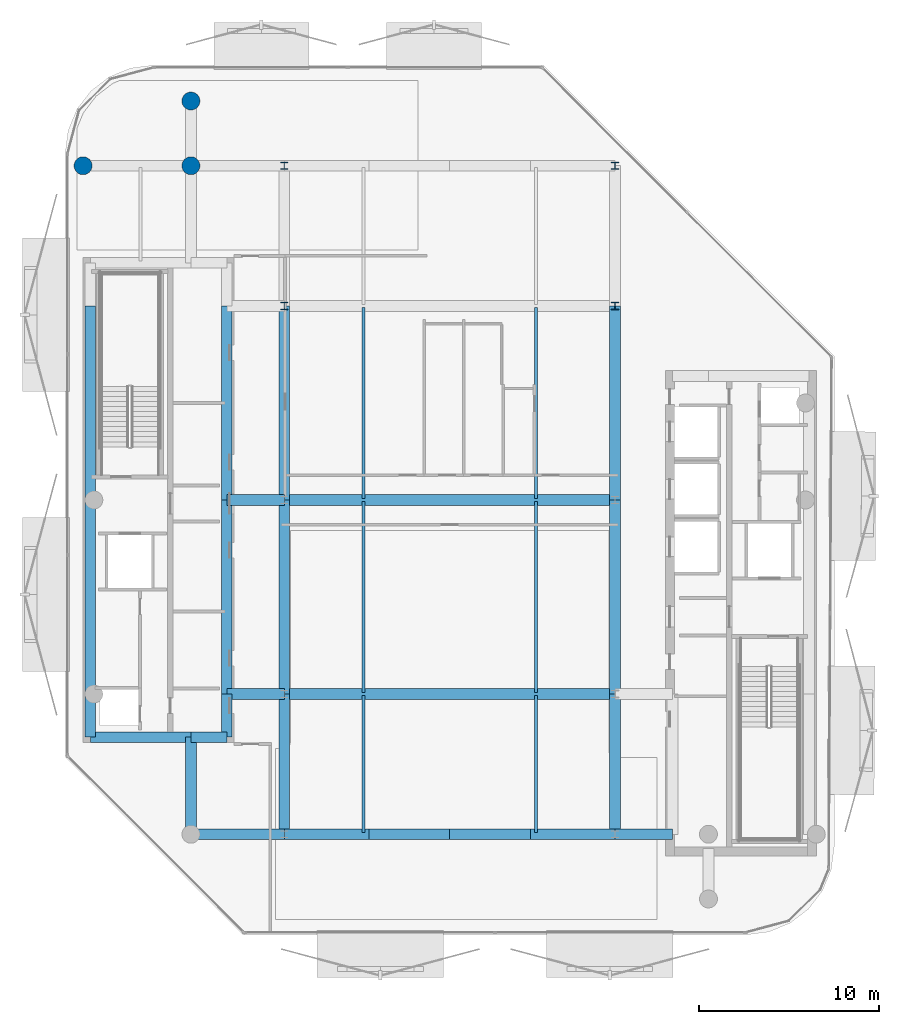
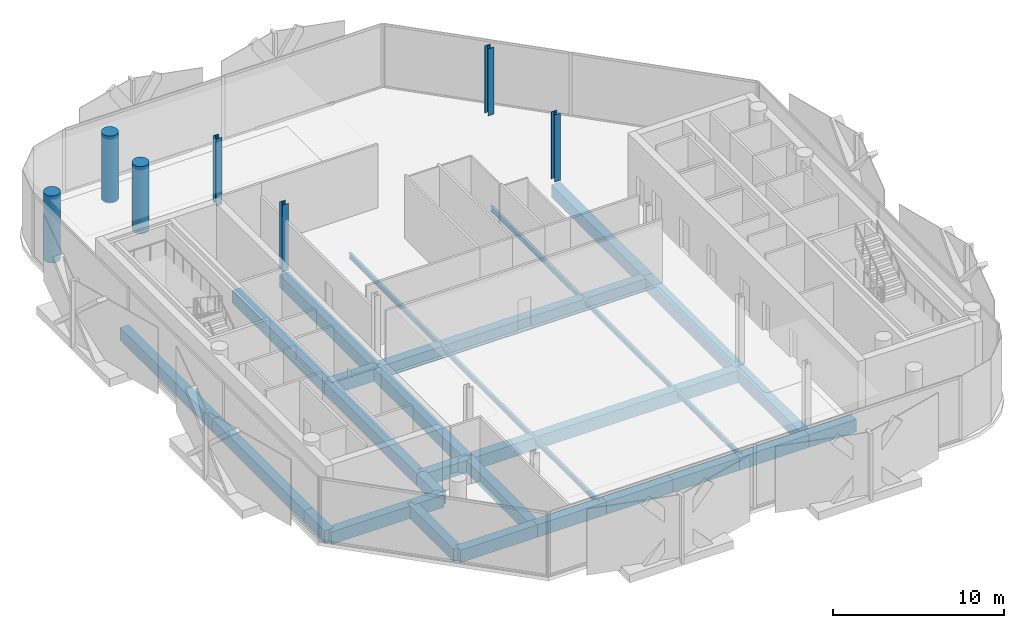
# One storey, part 2 of 15: 31 beams, 7 columns.
"""IFC4 building model written with IfcOpenShell, lengths in metres."""

from ifc_helpers import new_model, si_unit, direction, frame, origin, origin_2d, place, context, subcontext, project, spatial, rectangle, circle, i_section, extrude, material, material_profile, profile_set, type_object, element, save


model = new_model("IFC4")

# Units and contexts
model_context = context("Model", 3, precision=1e-05, world=origin(), true_north=direction((0.0, 1.0)))
body_context = subcontext(model_context, "Body", "Model", "MODEL_VIEW")
ifc_project = project(units=[si_unit("LENGTHUNIT", "METRE"), si_unit("AREAUNIT", "SQUARE_METRE"), si_unit("VOLUMEUNIT", "CUBIC_METRE"), si_unit("PLANEANGLEUNIT", "RADIAN"), si_unit("MASSUNIT", "GRAM", prefix="KILO")], contexts=[model_context])

# Site, building, storey
site_placement = place(None, origin())
site = spatial("IfcSite", under=ifc_project, at=site_placement, CompositionType="ELEMENT")
building_placement = place(site_placement, origin())
building = spatial("IfcBuilding", under=site, at=building_placement, Name="Khairoan Windgate Tower", CompositionType="ELEMENT")
storey_placement = place(building_placement, frame((0.0, 0.0, 315.60009765625)))
storey = spatial("IfcBuildingStorey", under=building, at=storey_placement, Name="L76", CompositionType="ELEMENT", Elevation=315.60009765625)

# Columns
ifc_material_1 = material(Name="Concrete C60/75", Category="concrete")
ifc_material_profile_1 = material_profile(ifc_material_1, circle(Radius=0.5, at=origin_2d()))
ifc_profile_set_1 = profile_set([ifc_material_profile_1], Name="Concrete C60/75")
column_type_1 = type_object("IfcColumnType", Name="Column C-P1 RC-D1000", PredefinedType="COLUMN", material=ifc_profile_set_1)
for number, where, z_axis, x_axis, name in (
    (1, (-20.39990234375, 18.60009765625, 0.0), (0.0, 0.0, 1.0), (1.0, 0.0, 0.0), "Column L76-11"),
    (2, (-14.39990234375, 18.60009765625, 0.0), (0.0, 0.0, 1.0), (1.0, 0.0, 0.0), "Column L76-14"),
    (3, (-14.39990234375, 22.199951171875, 0.0), (0.0, 0.0, 1.0), (1.0, 0.0, 0.0), "Column L76-20"),
):
    element("IfcColumn", number, at=place(storey_placement, frame(where, z_axis=z_axis, x_axis=x_axis)), inside=storey, type_object=column_type_1, Name=name, PredefinedType="COLUMN", context=body_context, shape_type="SweptSolid", body=[
        extrude(circle(Radius=0.5, at=origin_2d()), origin(), (0.0, 0.0, 1.0), 4.7998046875),
    ])
ifc_material_2 = material(Name="Steel S355", Category="steel")
ifc_material_profile_2 = material_profile(ifc_material_2, i_section(OverallWidth=0.39990234375, OverallDepth=0.39990234375, WebThickness=0.012939453125, FlangeThickness=0.02099609375, FilletRadius=0.02197265625, at=origin_2d()))
ifc_profile_set_2 = profile_set([ifc_material_profile_2], Name="Steel S355")
column_type_2 = type_object("IfcColumnType", Name="Steel Column SC4 H400x400x13x21", PredefinedType="COLUMN", material=ifc_profile_set_2)
for number, where, z_axis, x_axis, name in (
    (4, (-9.199951171875, 10.800048828125, 0.0), (0.0, 0.0, 1.0), (1.0, 0.0, 0.0), "Column L76-04"),
    (5, (-9.199951171875, 18.60009765625, 0.0), (0.0, 0.0, 1.0), (1.0, 0.0, 0.0), "Column L76-05"),
    (6, (9.199951171875, 10.800048828125, 0.0), (0.0, 0.0, 1.0), (1.0, 0.0, 0.0), "Column L76-09"),
    (7, (9.199951171875, 18.60009765625, 0.0), (0.0, 0.0, 1.0), (1.0, 0.0, 0.0), "Column L76-10"),
):
    element("IfcColumn", number, at=place(storey_placement, frame(where, z_axis=z_axis, x_axis=x_axis)), inside=storey, type_object=column_type_2, Name=name, PredefinedType="COLUMN", context=body_context, shape_type="SweptSolid", body=[
        extrude(i_section(OverallWidth=0.39990234375, OverallDepth=0.39990234375, WebThickness=0.012939453125, FlangeThickness=0.02099609375, FilletRadius=0.02197265625, at=origin_2d()), origin(), (0.0, 0.0, 1.0), 4.7998046875),
    ])

# Beams
ifc_material_3 = material(Name="Concrete C50/60", Category="concrete")
ifc_material_profile_3 = material_profile(ifc_material_3, rectangle(XDim=0.60009765625, YDim=0.89990234375, at=origin_2d()))
ifc_profile_set_3 = profile_set([ifc_material_profile_3], Name="Concrete C50/60")
beam_type_1 = type_object("IfcBeamType", Name="Beam B-RC1 RC600x900", PredefinedType="BEAM", material=ifc_profile_set_3)
beam_1_placement = place(storey_placement, frame((-14.39990234375, -18.60009765625, -0.710205078125), z_axis=(1.0, 0.0, 0.0), x_axis=(0.0, 1.0, 0.0)))
element("IfcBeam", 8, at=beam_1_placement, inside=storey, type_object=beam_type_1, Name="L76 E-W Primary Girder 01", PredefinedType="BEAM", context=body_context, shape_type="SweptSolid", body=[
    extrude(rectangle(XDim=0.60009765625, YDim=0.89990234375, at=origin_2d()), origin(), (0.0, 0.0, 1.0), 5.199951171875),
])
beam_2_placement = place(storey_placement, frame((-9.199951171875, -18.60009765625, -0.710205078125), z_axis=(1.0, 0.0, 0.0), x_axis=(0.0, 1.0, 0.0)))
element("IfcBeam", 9, at=beam_2_placement, inside=storey, type_object=beam_type_1, Name="L76 E-W Primary Girder 02", PredefinedType="BEAM", context=body_context, shape_type="SweptSolid", body=[
    extrude(rectangle(XDim=0.60009765625, YDim=0.89990234375, at=origin_2d()), origin(), (0.0, 0.0, 1.0), 4.699951171875),
])
for number, where, z_axis, x_axis, name in (
    (10, (-4.5, -18.60009765625, -0.710205078125), (1.0, 0.0, 0.0), (0.0, 1.0, 0.0), "L76 E-W Primary Girder 03"),
    (11, (0.0, -18.60009765625, -0.710205078125), (1.0, 0.0, 0.0), (0.0, 1.0, 0.0), "L76 E-W Primary Girder 04"),
):
    element("IfcBeam", number, at=place(storey_placement, frame(where, z_axis=z_axis, x_axis=x_axis)), inside=storey, type_object=beam_type_1, Name=name, PredefinedType="BEAM", context=body_context, shape_type="SweptSolid", body=[
        extrude(rectangle(XDim=0.60009765625, YDim=0.89990234375, at=origin_2d()), origin(), (0.0, 0.0, 1.0), 4.5),
    ])
beam_3_placement = place(storey_placement, frame((4.5, -18.60009765625, -0.710205078125), z_axis=(1.0, 0.0, 0.0), x_axis=(0.0, 1.0, 0.0)))
element("IfcBeam", 12, at=beam_3_placement, inside=storey, type_object=beam_type_1, Name="L76 E-W Primary Girder 05", PredefinedType="BEAM", context=body_context, shape_type="SweptSolid", body=[
    extrude(rectangle(XDim=0.60009765625, YDim=0.89990234375, at=origin_2d()), origin(), (0.0, 0.0, 1.0), 4.699951171875),
])
beam_4_placement = place(storey_placement, frame((9.199951171875, -18.60009765625, -0.710205078125), z_axis=(1.0, 0.0, 0.0), x_axis=(0.0, 1.0, 0.0)))
element("IfcBeam", 13, at=beam_4_placement, inside=storey, type_object=beam_type_1, Name="L76 E-W Primary Girder 06", PredefinedType="BEAM", context=body_context, shape_type="SweptSolid", body=[
    extrude(rectangle(XDim=0.60009765625, YDim=0.89990234375, at=origin_2d()), origin(), (0.0, 0.0, 1.0), 3.199951171875),
])
beam_5_placement = place(storey_placement, frame((-20.0, -13.199951171875, -0.710205078125), z_axis=(1.0, 0.0, 0.0), x_axis=(0.0, 1.0, 0.0)))
element("IfcBeam", 14, at=beam_5_placement, inside=storey, type_object=beam_type_1, Name="L76 E-W Primary Girder 07", PredefinedType="BEAM", context=body_context, shape_type="SweptSolid", body=[
    extrude(rectangle(XDim=0.60009765625, YDim=0.89990234375, at=origin_2d()), origin(), (0.0, 0.0, 1.0), 5.60009765625),
])
beam_6_placement = place(storey_placement, frame((-14.39990234375, -13.199951171875, -0.710205078125), z_axis=(1.0, 0.0, 0.0), x_axis=(0.0, 1.0, 0.0)))
element("IfcBeam", 15, at=beam_6_placement, inside=storey, type_object=beam_type_1, Name="L76 E-W Primary Girder 08", PredefinedType="BEAM", context=body_context, shape_type="SweptSolid", body=[
    extrude(rectangle(XDim=0.60009765625, YDim=0.89990234375, at=origin_2d()), origin(), (0.0, 0.0, 1.0), 2.0),
])
beam_7_placement = place(storey_placement, frame((-12.39990234375, -10.800048828125, -0.710205078125), z_axis=(1.0, 0.0, 0.0), x_axis=(0.0, 1.0, 0.0)))
element("IfcBeam", 16, at=beam_7_placement, inside=storey, type_object=beam_type_1, Name="L76 E-W Primary Girder 09", PredefinedType="BEAM", context=body_context, shape_type="SweptSolid", body=[
    extrude(rectangle(XDim=0.60009765625, YDim=0.89990234375, at=origin_2d()), origin(), (0.0, 0.0, 1.0), 3.199951171875),
])
beam_8_placement = place(storey_placement, frame((-9.199951171875, -10.800048828125, -0.710205078125), z_axis=(1.0, 0.0, 0.0), x_axis=(0.0, 1.0, 0.0)))
element("IfcBeam", 17, at=beam_8_placement, inside=storey, type_object=beam_type_1, Name="L76 E-W Primary Girder 10", PredefinedType="BEAM", context=body_context, shape_type="SweptSolid", body=[
    extrude(rectangle(XDim=0.60009765625, YDim=0.89990234375, at=origin_2d()), origin(), (0.0, 0.0, 1.0), 18.39990234375),
])
beam_9_placement = place(storey_placement, frame((-12.39990234375, 0.0, -0.710205078125), z_axis=(1.0, 0.0, 0.0), x_axis=(0.0, 1.0, 0.0)))
element("IfcBeam", 18, at=beam_9_placement, inside=storey, type_object=beam_type_1, Name="L76 E-W Primary Girder 12", PredefinedType="BEAM", context=body_context, shape_type="SweptSolid", body=[
    extrude(rectangle(XDim=0.60009765625, YDim=0.89990234375, at=origin_2d()), origin(), (0.0, 0.0, 1.0), 3.199951171875),
])
beam_10_placement = place(storey_placement, frame((-9.199951171875, 0.0, -0.710205078125), z_axis=(1.0, 0.0, 0.0), x_axis=(0.0, 1.0, 0.0)))
element("IfcBeam", 19, at=beam_10_placement, inside=storey, type_object=beam_type_1, Name="L76 E-W Primary Girder 13", PredefinedType="BEAM", context=body_context, shape_type="SweptSolid", body=[
    extrude(rectangle(XDim=0.60009765625, YDim=0.89990234375, at=origin_2d()), origin(), (0.0, 0.0, 1.0), 18.39990234375),
])
beam_11_placement = place(storey_placement, frame((-20.0, -13.199951171875, -0.710205078125), z_axis=(0.0, 1.0, 0.0), x_axis=(-1.0, 0.0, 0.0)))
element("IfcBeam", 20, at=beam_11_placement, inside=storey, type_object=beam_type_1, Name="L76 N-S Primary Beam 26", PredefinedType="BEAM", context=body_context, shape_type="SweptSolid", body=[
    extrude(rectangle(XDim=0.60009765625, YDim=0.89990234375, at=origin_2d()), origin(), (0.0, 0.0, 1.0), 2.39990234375),
])
for number, where, z_axis, x_axis, name in (
    (21, (-20.0, -10.800048828125, -0.710205078125), (0.0, 1.0, 0.0), (-1.0, 0.0, 0.0), "L76 N-S Primary Beam 27"),
    (22, (-20.0, 0.0, -0.710205078125), (0.0, 1.0, 0.0), (-1.0, 0.0, 0.0), "L76 N-S Primary Beam 28"),
):
    element("IfcBeam", number, at=place(storey_placement, frame(where, z_axis=z_axis, x_axis=x_axis)), inside=storey, type_object=beam_type_1, Name=name, PredefinedType="BEAM", context=body_context, shape_type="SweptSolid", body=[
        extrude(rectangle(XDim=0.60009765625, YDim=0.89990234375, at=origin_2d()), origin(), (0.0, 0.0, 1.0), 10.800048828125),
    ])
beam_12_placement = place(storey_placement, frame((-14.39990234375, -18.60009765625, -0.710205078125), z_axis=(0.0, 1.0, 0.0), x_axis=(-1.0, 0.0, 0.0)))
element("IfcBeam", 23, at=beam_12_placement, inside=storey, type_object=beam_type_1, Name="L76 N-S Primary Beam 30", PredefinedType="BEAM", context=body_context, shape_type="SweptSolid", body=[
    extrude(rectangle(XDim=0.60009765625, YDim=0.89990234375, at=origin_2d()), origin(), (0.0, 0.0, 1.0), 5.400146484375),
])
beam_13_placement = place(storey_placement, frame((-12.39990234375, -13.199951171875, -0.710205078125), z_axis=(0.0, 1.0, 0.0), x_axis=(-1.0, 0.0, 0.0)))
element("IfcBeam", 24, at=beam_13_placement, inside=storey, type_object=beam_type_1, Name="L76 N-S Primary Beam 33", PredefinedType="BEAM", context=body_context, shape_type="SweptSolid", body=[
    extrude(rectangle(XDim=0.60009765625, YDim=0.89990234375, at=origin_2d()), origin(), (0.0, 0.0, 1.0), 2.39990234375),
])
for number, where, z_axis, x_axis, name in (
    (25, (-12.39990234375, -10.800048828125, -0.710205078125), (0.0, 1.0, 0.0), (-1.0, 0.0, 0.0), "L76 N-S Primary Beam 34"),
    (26, (-12.39990234375, 0.0, -0.710205078125), (0.0, 1.0, 0.0), (-1.0, 0.0, 0.0), "L76 N-S Primary Beam 35"),
):
    element("IfcBeam", number, at=place(storey_placement, frame(where, z_axis=z_axis, x_axis=x_axis)), inside=storey, type_object=beam_type_1, Name=name, PredefinedType="BEAM", context=body_context, shape_type="SweptSolid", body=[
        extrude(rectangle(XDim=0.60009765625, YDim=0.89990234375, at=origin_2d()), origin(), (0.0, 0.0, 1.0), 10.800048828125),
    ])
beam_14_placement = place(storey_placement, frame((-9.199951171875, -18.60009765625, -0.710205078125), z_axis=(0.0, 1.0, 0.0), x_axis=(-1.0, 0.0, 0.0)))
element("IfcBeam", 27, at=beam_14_placement, inside=storey, type_object=beam_type_1, Name="L76 N-S Primary Beam 37", PredefinedType="BEAM", context=body_context, shape_type="SweptSolid", body=[
    extrude(rectangle(XDim=0.60009765625, YDim=0.89990234375, at=origin_2d()), origin(), (0.0, 0.0, 1.0), 7.800048828125),
])
for number, where, z_axis, x_axis, name in (
    (28, (-9.199951171875, -10.800048828125, -0.710205078125), (0.0, 1.0, 0.0), (-1.0, 0.0, 0.0), "L76 N-S Primary Beam 38"),
    (29, (-9.199951171875, 0.0, -0.710205078125), (0.0, 1.0, 0.0), (-1.0, 0.0, 0.0), "L76 N-S Primary Beam 39"),
):
    element("IfcBeam", number, at=place(storey_placement, frame(where, z_axis=z_axis, x_axis=x_axis)), inside=storey, type_object=beam_type_1, Name=name, PredefinedType="BEAM", context=body_context, shape_type="SweptSolid", body=[
        extrude(rectangle(XDim=0.60009765625, YDim=0.89990234375, at=origin_2d()), origin(), (0.0, 0.0, 1.0), 10.800048828125),
    ])
beam_15_placement = place(storey_placement, frame((9.199951171875, -18.60009765625, -0.710205078125), z_axis=(0.0, 1.0, 0.0), x_axis=(-1.0, 0.0, 0.0)))
element("IfcBeam", 30, at=beam_15_placement, inside=storey, type_object=beam_type_1, Name="L76 N-S Primary Beam 41", PredefinedType="BEAM", context=body_context, shape_type="SweptSolid", body=[
    extrude(rectangle(XDim=0.60009765625, YDim=0.89990234375, at=origin_2d()), origin(), (0.0, 0.0, 1.0), 7.800048828125),
])
for number, where, z_axis, x_axis, name in (
    (31, (9.199951171875, -10.800048828125, -0.710205078125), (0.0, 1.0, 0.0), (-1.0, 0.0, 0.0), "L76 N-S Primary Beam 42"),
    (32, (9.199951171875, 0.0, -0.710205078125), (0.0, 1.0, 0.0), (-1.0, 0.0, 0.0), "L76 N-S Primary Beam 43"),
):
    element("IfcBeam", number, at=place(storey_placement, frame(where, z_axis=z_axis, x_axis=x_axis)), inside=storey, type_object=beam_type_1, Name=name, PredefinedType="BEAM", context=body_context, shape_type="SweptSolid", body=[
        extrude(rectangle(XDim=0.60009765625, YDim=0.89990234375, at=origin_2d()), origin(), (0.0, 0.0, 1.0), 10.800048828125),
    ])
ifc_material_4 = material(Name="Steel S355", Category="steel")
ifc_material_profile_4 = material_profile(ifc_material_4, i_section(OverallWidth=0.175048828125, OverallDepth=0.35009765625, WebThickness=0.007080078125, FlangeThickness=0.010986328125, FilletRadius=0.013916015625, at=origin_2d()))
ifc_profile_set_4 = profile_set([ifc_material_profile_4], Name="Steel S355")
beam_type_2 = type_object("IfcBeamType", Name="Beam J-S5 H350x175x7x11", PredefinedType="JOIST", material=ifc_profile_set_4)
beam_16_placement = place(storey_placement, frame((-4.800048828125, -18.510009765625, -0.43505859375), z_axis=(0.0, 1.0, 0.0), x_axis=(-1.0, 0.0, 0.0)))
element("IfcBeam", 33, at=beam_16_placement, inside=storey, type_object=beam_type_2, Name="L76 Secondary Floor Joist 02", PredefinedType="JOIST", context=body_context, shape_type="SweptSolid", body=[
    extrude(i_section(OverallWidth=0.175048828125, OverallDepth=0.35009765625, WebThickness=0.007080078125, FlangeThickness=0.010986328125, FilletRadius=0.013916015625, at=origin_2d()), origin(), (0.0, 0.0, 1.0), 7.6201171875),
])
for number, where, z_axis, x_axis, name in (
    (34, (-4.800048828125, -10.7099609375, -0.43505859375), (0.0, 1.0, 0.0), (-1.0, 0.0, 0.0), "L76 Secondary Floor Joist 03"),
    (35, (-4.800048828125, 0.090087890625, -0.43505859375), (0.0, 1.0, 0.0), (-1.0, 0.0, 0.0), "L76 Secondary Floor Joist 04"),
):
    element("IfcBeam", number, at=place(storey_placement, frame(where, z_axis=z_axis, x_axis=x_axis)), inside=storey, type_object=beam_type_2, Name=name, PredefinedType="JOIST", context=body_context, shape_type="SweptSolid", body=[
        extrude(i_section(OverallWidth=0.175048828125, OverallDepth=0.35009765625, WebThickness=0.007080078125, FlangeThickness=0.010986328125, FilletRadius=0.013916015625, at=origin_2d()), origin(), (0.0, 0.0, 1.0), 10.619873046875),
    ])
beam_17_placement = place(storey_placement, frame((4.800048828125, -18.510009765625, -0.43505859375), z_axis=(0.0, 1.0, 0.0), x_axis=(-1.0, 0.0, 0.0)))
element("IfcBeam", 36, at=beam_17_placement, inside=storey, type_object=beam_type_2, Name="L76 Secondary Floor Joist 06", PredefinedType="JOIST", context=body_context, shape_type="SweptSolid", body=[
    extrude(i_section(OverallWidth=0.175048828125, OverallDepth=0.35009765625, WebThickness=0.007080078125, FlangeThickness=0.010986328125, FilletRadius=0.013916015625, at=origin_2d()), origin(), (0.0, 0.0, 1.0), 7.6201171875),
])
for number, where, z_axis, x_axis, name in (
    (37, (4.800048828125, -10.7099609375, -0.43505859375), (0.0, 1.0, 0.0), (-1.0, 0.0, 0.0), "L76 Secondary Floor Joist 07"),
    (38, (4.800048828125, 0.090087890625, -0.43505859375), (0.0, 1.0, 0.0), (-1.0, 0.0, 0.0), "L76 Secondary Floor Joist 08"),
):
    element("IfcBeam", number, at=place(storey_placement, frame(where, z_axis=z_axis, x_axis=x_axis)), inside=storey, type_object=beam_type_2, Name=name, PredefinedType="JOIST", context=body_context, shape_type="SweptSolid", body=[
        extrude(i_section(OverallWidth=0.175048828125, OverallDepth=0.35009765625, WebThickness=0.007080078125, FlangeThickness=0.010986328125, FilletRadius=0.013916015625, at=origin_2d()), origin(), (0.0, 0.0, 1.0), 10.619873046875),
    ])

save(model, "model.ifc")
